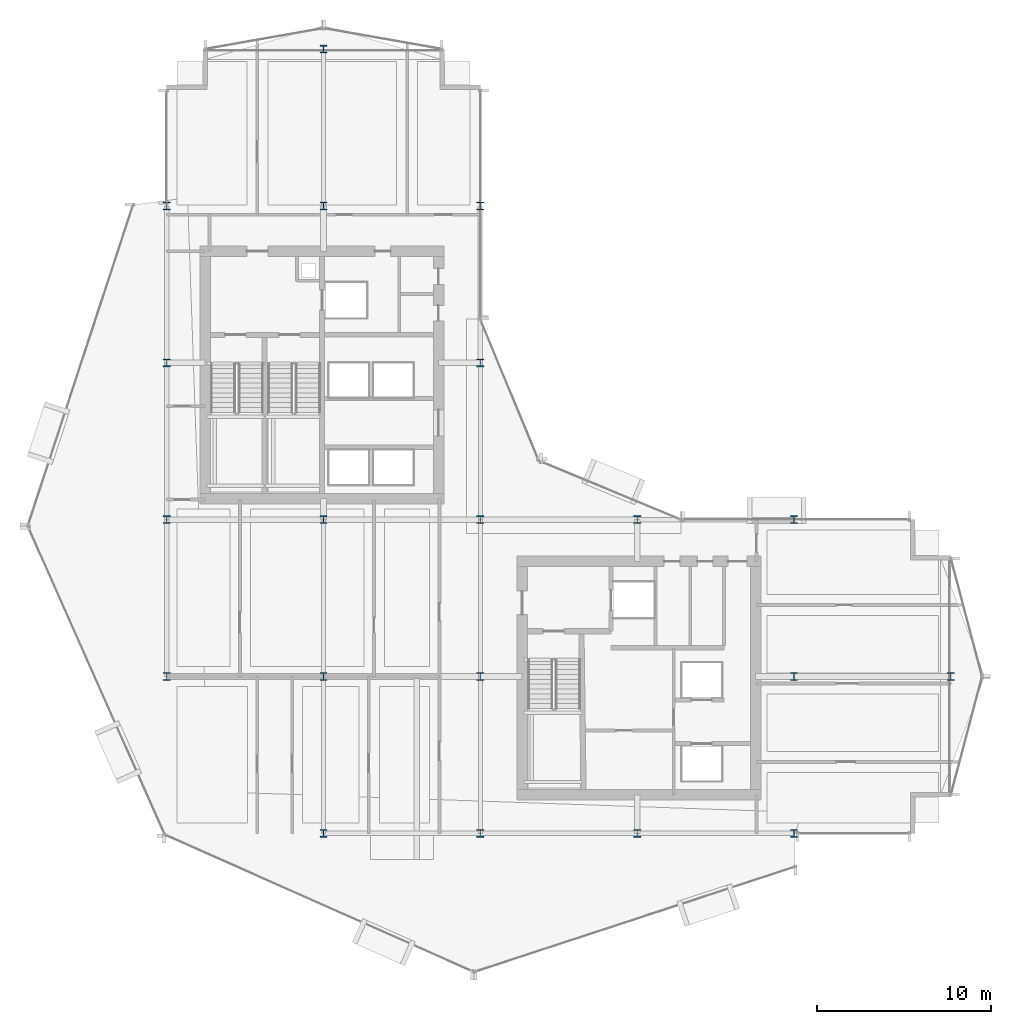
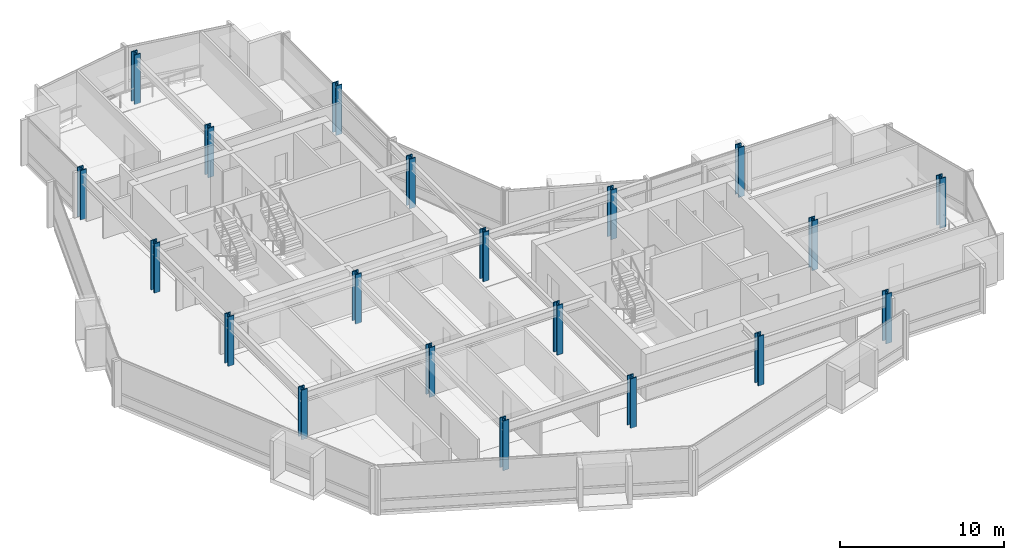
# One storey, part 1 of 29: 20 columns.
"""IFC4 building model written with IfcOpenShell, lengths in metres."""

from ifc_helpers import new_model, si_unit, direction, frame, origin, origin_2d, place, context, subcontext, project, spatial, i_section, extrude, material, material_profile, profile_set, type_object, element, save


model = new_model("IFC4")

# Units and contexts
model_context = context("Model", 3, precision=1e-05, world=origin(), true_north=direction((0.0, 1.0)))
body_context = subcontext(model_context, "Body", "Model", "MODEL_VIEW")
ifc_project = project(units=[si_unit("LENGTHUNIT", "METRE"), si_unit("AREAUNIT", "SQUARE_METRE"), si_unit("VOLUMEUNIT", "CUBIC_METRE"), si_unit("PLANEANGLEUNIT", "RADIAN"), si_unit("MASSUNIT", "GRAM", prefix="KILO")], contexts=[model_context])

# Site, building, storey
site_placement = place(None, origin())
site = spatial("IfcSite", under=ifc_project, at=site_placement, CompositionType="ELEMENT")
building_placement = place(site_placement, origin())
building = spatial("IfcBuilding", under=site, at=building_placement, Name="Solvaryn Broadcast Tower", CompositionType="ELEMENT")
storey_placement = place(building_placement, frame((0.0, 0.0, 124.800048828125)))
storey = spatial("IfcBuildingStorey", under=building, at=storey_placement, Name="L30", CompositionType="ELEMENT", Elevation=124.800048828125)

# Columns
ifc_material_1 = material(Name="Steel ASTM A913 Grade 65", Category="steel")
ifc_material_profile_1 = material_profile(ifc_material_1, i_section(OverallWidth=0.41796875, OverallDepth=0.455078125, WebThickness=0.0419921875, FlangeThickness=0.067626953125, FilletRadius=0.014892578125, at=origin_2d()))
ifc_profile_set_1 = profile_set([ifc_material_profile_1], Name="Steel ASTM A913 Grade 65")
column_type_1 = type_object("IfcColumnType", Name="COL-C05E-W14X370", PredefinedType="COLUMN", material=ifc_profile_set_1)
for number, where, z_axis, x_axis, name in (
    (1, (9.0, 18.0, 0.0), (0.0, 0.0, 1.0), (1.0, 0.0, 0.0), "L30 Column (9.0, 18.0)"),
    (2, (9.0, 27.0, 0.0), (0.0, 0.0, 1.0), (1.0, 0.0, 0.0), "L30 Column (9.0, 27.0)"),
    (3, (9.0, 36.0, 0.0), (0.0, 0.0, 1.0), (1.0, 0.0, 0.0), "L30 Column (9.0, 36.0)"),
    (4, (9.0, 45.0, 0.0), (0.0, 0.0, 1.0), (1.0, 0.0, 0.0), "L30 Column (9.0, 45.0)"),
    (5, (18.0, 9.0, 0.0), (0.0, 0.0, 1.0), (1.0, 0.0, 0.0), "L30 Column (18.0, 9.0)"),
    (6, (18.0, 54.0, 0.0), (0.0, 0.0, 1.0), (1.0, 0.0, 0.0), "L30 Column (18.0, 54.0)"),
    (7, (27.0, 9.0, 0.0), (0.0, 0.0, 1.0), (1.0, 0.0, 0.0), "L30 Column (27.0, 9.0)"),
    (8, (27.0, 36.0, 0.0), (0.0, 0.0, 1.0), (1.0, 0.0, 0.0), "L30 Column (27.0, 36.0)"),
    (9, (27.0, 45.0, 0.0), (0.0, 0.0, 1.0), (1.0, 0.0, 0.0), "L30 Column (27.0, 45.0)"),
    (10, (36.0, 9.0, 0.0), (0.0, 0.0, 1.0), (1.0, 0.0, 0.0), "L30 Column (36.0, 9.0)"),
    (11, (36.0, 27.0, 0.0), (0.0, 0.0, 1.0), (1.0, 0.0, 0.0), "L30 Column (36.0, 27.0)"),
    (12, (45.0, 9.0, 0.0), (0.0, 0.0, 1.0), (1.0, 0.0, 0.0), "L30 Column (45.0, 9.0)"),
    (13, (45.0, 27.0, 0.0), (0.0, 0.0, 1.0), (1.0, 0.0, 0.0), "L30 Column (45.0, 27.0)"),
    (14, (54.0, 18.0, 0.0), (0.0, 0.0, 1.0), (1.0, 0.0, 0.0), "L30 Column (54.0, 18.0)"),
):
    element("IfcColumn", number, at=place(storey_placement, frame(where, z_axis=z_axis, x_axis=x_axis)), inside=storey, type_object=column_type_1, Name=name, PredefinedType="COLUMN", context=body_context, shape_type="SweptSolid", body=[
        extrude(i_section(OverallWidth=0.41796875, OverallDepth=0.455078125, WebThickness=0.0419921875, FlangeThickness=0.067626953125, FilletRadius=0.014892578125, at=origin_2d()), origin(), (0.0, 0.0, 1.0), 3.699951171875),
    ])
ifc_material_2 = material(Name="Steel ASTM A913 Grade 65", Category="steel")
ifc_material_profile_2 = material_profile(ifc_material_2, i_section(OverallWidth=0.41796875, OverallDepth=0.455078125, WebThickness=0.0419921875, FlangeThickness=0.067626953125, FilletRadius=0.014892578125, at=origin_2d()))
ifc_profile_set_2 = profile_set([ifc_material_profile_2], Name="Steel ASTM A913 Grade 65")
column_type_2 = type_object("IfcColumnType", Name="COL-C05I-W14X370", PredefinedType="COLUMN", material=ifc_profile_set_2)
for number, where, z_axis, x_axis, name in (
    (15, (18.0, 18.0, 0.0), (0.0, 0.0, 1.0), (1.0, 0.0, 0.0), "L30 Column (18.0, 18.0)"),
    (16, (18.0, 27.0, 0.0), (0.0, 0.0, 1.0), (1.0, 0.0, 0.0), "L30 Column (18.0, 27.0)"),
    (17, (18.0, 45.0, 0.0), (0.0, 0.0, 1.0), (1.0, 0.0, 0.0), "L30 Column (18.0, 45.0)"),
    (18, (27.0, 18.0, 0.0), (0.0, 0.0, 1.0), (1.0, 0.0, 0.0), "L30 Column (27.0, 18.0)"),
    (19, (27.0, 27.0, 0.0), (0.0, 0.0, 1.0), (1.0, 0.0, 0.0), "L30 Column (27.0, 27.0)"),
    (20, (45.0, 18.0, 0.0), (0.0, 0.0, 1.0), (1.0, 0.0, 0.0), "L30 Column (45.0, 18.0)"),
):
    element("IfcColumn", number, at=place(storey_placement, frame(where, z_axis=z_axis, x_axis=x_axis)), inside=storey, type_object=column_type_2, Name=name, PredefinedType="COLUMN", context=body_context, shape_type="SweptSolid", body=[
        extrude(i_section(OverallWidth=0.41796875, OverallDepth=0.455078125, WebThickness=0.0419921875, FlangeThickness=0.067626953125, FilletRadius=0.014892578125, at=origin_2d()), origin(), (0.0, 0.0, 1.0), 3.699951171875),
    ])

save(model, "model.ifc")
